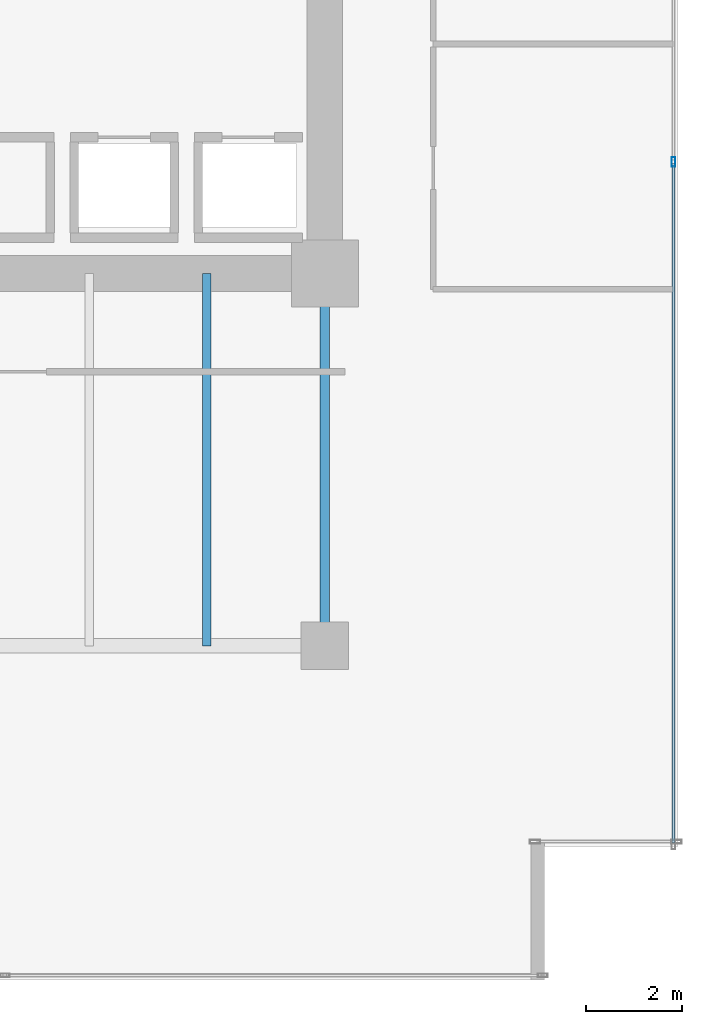
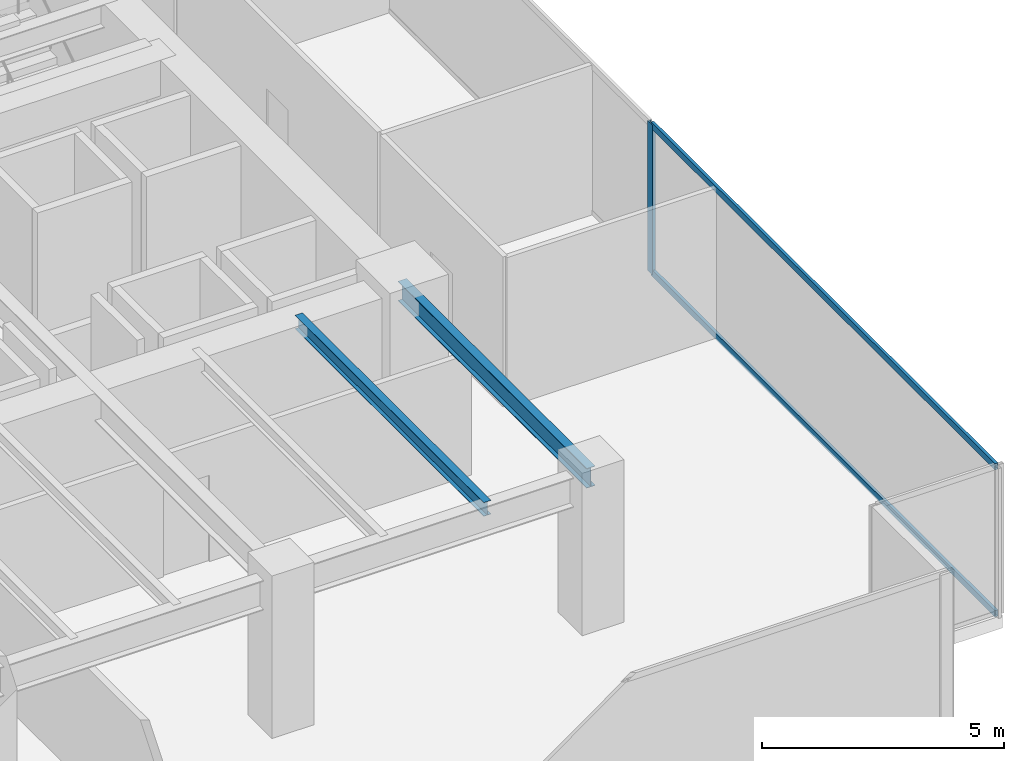
# One storey, part 24 of 35: 3 members, 2 beams, 1 element without a shape of its own.
"""IFC4 building model written with IfcOpenShell, lengths in metres."""

from ifc_helpers import new_model, si_unit, direction, frame, origin, origin_2d, place, context, subcontext, project, spatial, hollow_rectangle, i_section, extrude, source, transform, mapped, material, layer, layer_set, material_profile, profile_set, type_object, type_shapes, element, aggregate, save


model = new_model("IFC4")

# Units and contexts
model_context = context("Model", 3, precision=1e-05, world=origin(), true_north=direction((0.0, 1.0)))
body_context = subcontext(model_context, "Body", "Model", "MODEL_VIEW")
ifc_project = project(units=[si_unit("LENGTHUNIT", "METRE"), si_unit("AREAUNIT", "SQUARE_METRE"), si_unit("VOLUMEUNIT", "CUBIC_METRE"), si_unit("PLANEANGLEUNIT", "RADIAN"), si_unit("MASSUNIT", "GRAM", prefix="KILO")], contexts=[model_context])

# Site, building, storey
site_placement = place(None, origin())
site = spatial("IfcSite", under=ifc_project, at=site_placement, CompositionType="ELEMENT")
building_placement = place(site_placement, origin())
building = spatial("IfcBuilding", under=site, at=building_placement, Name="Haelvirn Gate Laboratories", CompositionType="ELEMENT")
storey_placement = place(building_placement, frame((0.0, 0.0, 41.60009765625)))
storey = spatial("IfcBuildingStorey", under=building, at=storey_placement, Name="L10", CompositionType="ELEMENT", Elevation=41.60009765625)

# Beams
ifc_material_1 = material(Name="Steel SM355", Category="steel")
ifc_material_profile_1 = material_profile(ifc_material_1, i_section(OverallWidth=0.199951171875, OverallDepth=0.5, WebThickness=0.010009765625, FlangeThickness=0.01611328125, at=origin_2d()), Name="H-500x200x10x16")
ifc_profile_set_1 = profile_set([ifc_material_profile_1], Name="Steel SM355")
beam_type_1 = type_object("IfcBeamType", Name="BM-SP-500", PredefinedType="SPANDREL", material=ifc_profile_set_1)
shared_shape_1 = source(origin(), body_context, "Body", "SweptSolid", [
    extrude(i_section(OverallWidth=0.199951171875, OverallDepth=0.5, WebThickness=0.010009765625, FlangeThickness=0.01611328125, at=origin_2d()), origin(), (0.0, 0.0, 1.0), 7.800048828125),
])
type_shapes(beam_type_1, [shared_shape_1])
beam_1_placement = place(storey_placement, frame((67.39990234375, 7.0, 3.52978515625), z_axis=(0.0, 1.0, 0.0), x_axis=(-1.0, 0.0, 0.0)))
element("IfcBeam", 1, at=beam_1_placement, inside=storey, type_object=beam_type_1, Name="L10 Perimeter Spandrel X67.4 (7.0-14.8)", PredefinedType="SPANDREL", context=body_context, shape_type="MappedRepresentation", body=[
    mapped(shared_shape_1, transform((0.0, 0.0, 0.0), scale=1.0)),
])
ifc_material_profile_2 = material_profile(ifc_material_1, i_section(OverallWidth=0.175048828125, OverallDepth=0.35009765625, WebThickness=0.007080078125, FlangeThickness=0.010986328125, at=origin_2d()), Name="H-350x175x7x11")
ifc_profile_set_2 = profile_set([ifc_material_profile_2], Name="Steel SM355")
beam_type_2 = type_object("IfcBeamType", Name="BM-J-350", PredefinedType="JOIST", material=ifc_profile_set_2)
shared_shape_2 = source(origin(), body_context, "Body", "SweptSolid", [
    extrude(i_section(OverallWidth=0.175048828125, OverallDepth=0.35009765625, WebThickness=0.007080078125, FlangeThickness=0.010986328125, at=origin_2d()), origin(), (0.0, 0.0, 1.0), 7.800048828125),
])
type_shapes(beam_type_2, [shared_shape_2])
beam_2_placement = place(storey_placement, frame((64.929931640625, 7.0, 3.60498046875), z_axis=(0.0, 1.0, 0.0), x_axis=(-1.0, 0.0, 0.0)))
element("IfcBeam", 2, at=beam_2_placement, inside=storey, type_object=beam_type_2, Name="L10 Composite Lab Joist South X64.93", PredefinedType="JOIST", context=body_context, shape_type="MappedRepresentation", body=[
    mapped(shared_shape_2, transform((0.0, 0.0, 0.0), scale=1.0)),
])

# Curtain wall, members
ifc_material_2 = material(Name="Anodised bronze unitised aluminium & triple low-E glass", Category="aluminium")
ifc_layer = layer(ifc_material_2, 0.18408203125, Name="CW-SYS-2")
ifc_layer_set = layer_set([ifc_layer], Name="Anodised bronze unitised aluminium & triple low-E glass")
curtain_wall_type = type_object("IfcCurtainWallType", Name="CW-SYS-2", PredefinedType="NOTDEFINED", material=ifc_layer_set)
curtain_wall_placement = place(storey_placement, origin())
curtain_wall = element("IfcCurtainWall", 3, at=curtain_wall_placement, inside=storey, type_object=curtain_wall_type, Name="L10 Unitised Curtain Wall CW-L10-P0-E07", PredefinedType="NOTDEFINED")
ifc_material_3 = material(Name="Extruded aluminium 6063-T6 (anodised bronze)", Category="aluminium")
ifc_material_profile_3 = material_profile(ifc_material_3, hollow_rectangle(XDim=0.070068359375, YDim=0.159912109375, WallThickness=0.0048828125, at=origin_2d()), Name="CWT-160x70x5")
ifc_profile_set_3 = profile_set([ifc_material_profile_3], Name="Extruded aluminium 6063-T6 (anodised bronze)")
member_type_1 = type_object("IfcMemberType", Name="CWT-T160", PredefinedType="USERDEFINED", material=ifc_profile_set_3)
shared_shape_3 = source(origin(), body_context, "Body", "SweptSolid", [
    extrude(hollow_rectangle(XDim=0.070068359375, YDim=0.159912109375, WallThickness=0.0048828125, at=origin_2d()), origin(), (0.0, 0.0, 1.0), 14.220947265625),
])
type_shapes(member_type_1, [shared_shape_3])
member_1_placement = place(storey_placement, frame((74.699951171875, 2.875, 0.034912109375), z_axis=(0.0, 1.0, 0.0), x_axis=(-1.0, 0.0, 0.0)))
member_1 = element("IfcMember", 4, at=member_1_placement, type_object=member_type_1, Name="CW2 transom 1.1", ObjectType="TRANSOM", PredefinedType="USERDEFINED", context=body_context, shape_type="MappedRepresentation", body=[
    mapped(shared_shape_3, transform((0.0, 0.0, 0.0), scale=1.0)),
])
member_2_placement = place(storey_placement, frame((74.699951171875, 2.875, 3.744873046875), z_axis=(0.0, 1.0, 0.0), x_axis=(-1.0, 0.0, 0.0)))
member_2 = element("IfcMember", 5, at=member_2_placement, type_object=member_type_1, Name="CW2 transom 1.2", ObjectType="TRANSOM", PredefinedType="USERDEFINED", context=body_context, shape_type="MappedRepresentation", body=[
    mapped(shared_shape_3, transform((0.0, 0.0, 0.0), scale=1.0)),
])
ifc_material_profile_4 = material_profile(ifc_material_3, hollow_rectangle(XDim=0.074951171875, YDim=0.199951171875, WallThickness=0.0048828125, at=origin_2d()), Name="CWM-200x75x5")
ifc_profile_set_4 = profile_set([ifc_material_profile_4], Name="Extruded aluminium 6063-T6 (anodised bronze)")
member_type_2 = type_object("IfcMemberType", Name="CWM-T200", PredefinedType="MULLION", material=ifc_profile_set_4)
shared_shape_4 = source(origin(), body_context, "Body", "SweptSolid", [
    extrude(hollow_rectangle(XDim=0.074951171875, YDim=0.199951171875, WallThickness=0.0048828125, at=origin_2d()), origin(), (0.0, 0.0, 1.0), 3.77978515625),
])
type_shapes(member_type_2, [shared_shape_4])
member_3_placement = place(storey_placement, frame((74.699951171875, 17.13330078125, 0.0), z_axis=(0.0, 0.0, 1.0), x_axis=(-1.0, 0.0, 0.0)))
member_3 = element("IfcMember", 6, at=member_3_placement, type_object=member_type_2, Name="CW2 mullion 2", PredefinedType="MULLION", context=body_context, shape_type="MappedRepresentation", body=[
    mapped(shared_shape_4, transform((0.0, 0.0, 0.0), scale=1.0)),
])
aggregate(curtain_wall, [member_3, member_1, member_2])

save(model, "model.ifc")
